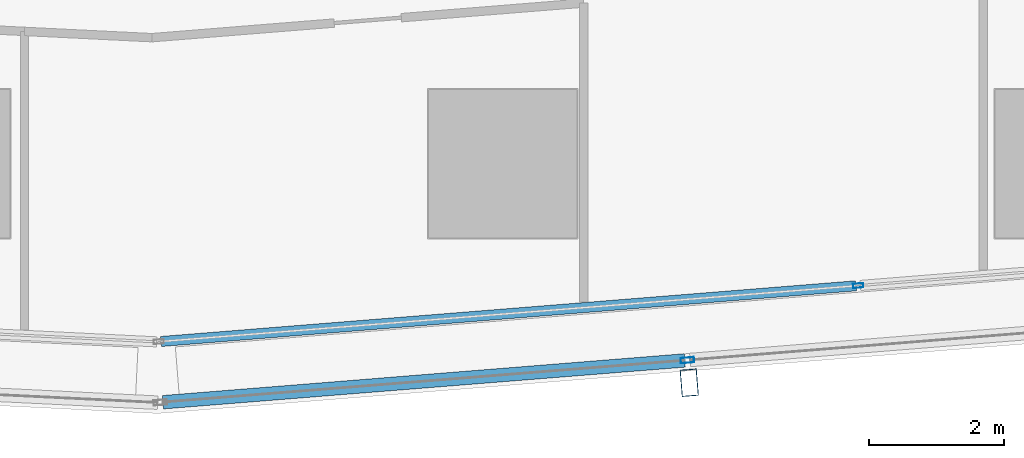
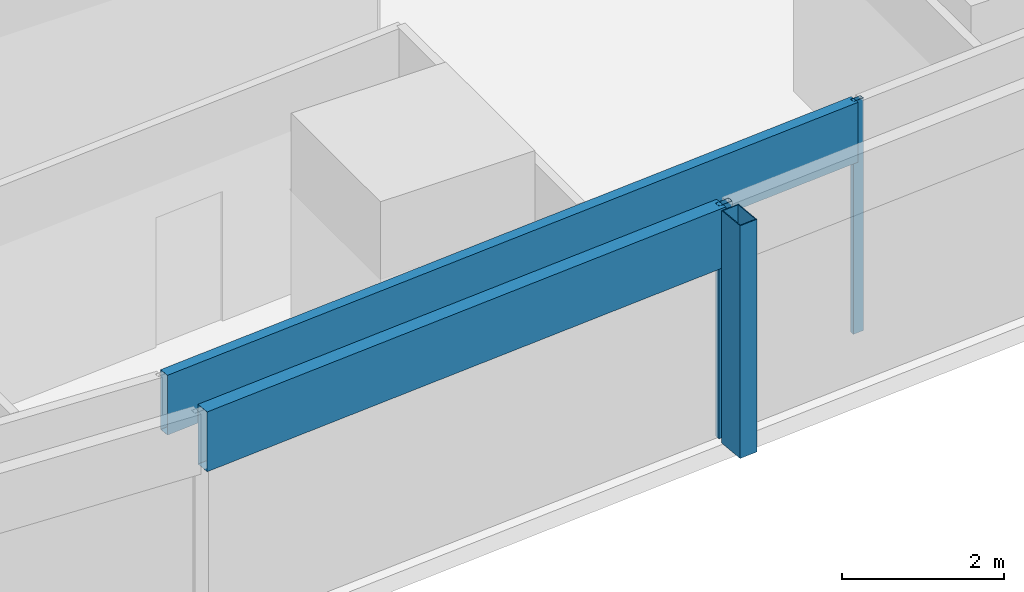
# One storey, part 10 of 45: 5 members, 2 elements without a shape of their own.
"""IFC4 building model written with IfcOpenShell, lengths in metres."""

from ifc_helpers import new_model, si_unit, direction, frame, origin, origin_2d, place, context, subcontext, project, spatial, hollow_rectangle, extrude, material, material_profile, profile_set, type_object, element, aggregate, save


model = new_model("IFC4")

# Units and contexts
model_context = context("Model", 3, precision=1e-05, world=origin(), true_north=direction((0.0, 1.0)))
body_context = subcontext(model_context, "Body", "Model", "MODEL_VIEW")
ifc_project = project(units=[si_unit("LENGTHUNIT", "METRE"), si_unit("AREAUNIT", "SQUARE_METRE"), si_unit("VOLUMEUNIT", "CUBIC_METRE"), si_unit("PLANEANGLEUNIT", "RADIAN"), si_unit("MASSUNIT", "GRAM", prefix="KILO")], contexts=[model_context])

# Site, building, storey
site_placement = place(None, origin())
site = spatial("IfcSite", under=ifc_project, at=site_placement, CompositionType="ELEMENT")
building_placement = place(site_placement, origin())
building = spatial("IfcBuilding", under=site, at=building_placement, Name="Rekha Terrace Tower", CompositionType="ELEMENT")
storey_placement = place(building_placement, frame((0.0, 0.0, 36.64990234375)))
storey = spatial("IfcBuildingStorey", under=building, at=storey_placement, Name="L08", CompositionType="ELEMENT", Elevation=36.64990234375)

# Curtain wall, member
ifc_material_1 = material(Name="Aluminium framing", Category="aluminium")
curtain_wall_type_1 = type_object("IfcCurtainWallType", Name="CW2 double skin outer glazing", PredefinedType="USERDEFINED", material=ifc_material_1)
curtain_wall_1_placement = place(storey_placement, origin())
curtain_wall_1 = element("IfcCurtainWall", 1, at=curtain_wall_1_placement, inside=storey, type_object=curtain_wall_type_1, Name="CW2 double skin outer glazing", ObjectType="DOUBLE SKIN OUTER GLAZING", PredefinedType="USERDEFINED")
ifc_material_2 = material(Name="Steel S355 with fluorocarbon finish", Category="steel")
ifc_material_profile_1 = material_profile(ifc_material_2, hollow_rectangle(XDim=0.25, YDim=0.39990234375, WallThickness=0.012451171875, at=origin_2d()), Name="RHS400x250x12.5")
ifc_profile_set_1 = profile_set([ifc_material_profile_1], Name="Steel S355 with fluorocarbon finish")
member_type_1 = type_object("IfcMemberType", Name="BL1 facade blade RHS 400 x 250", PredefinedType="USERDEFINED", material=ifc_profile_set_1)
member_1_placement = place(storey_placement, frame((53.16748046875, 5.15576171875, 0.0), z_axis=(0.0, 0.0, 1.0), x_axis=(0.996805139821, 0.079871855039, 0.0)))
member_1 = element("IfcMember", 2, at=member_1_placement, type_object=member_type_1, Name="Facade blade", ObjectType="FACADE BLADE", PredefinedType="USERDEFINED", context=body_context, shape_type="SweptSolid", body=[
    extrude(hollow_rectangle(XDim=0.25, YDim=0.39990234375, WallThickness=0.012451171875, at=origin_2d()), origin(), (0.0, 0.0, 1.0), 3.5),
])

# Curtain wall, members
curtain_wall_type_2 = type_object("IfcCurtainWallType", Name="CW1 double skin inner glazing", PredefinedType="USERDEFINED", material=ifc_material_1)
curtain_wall_2_placement = place(storey_placement, origin())
curtain_wall_2 = element("IfcCurtainWall", 3, at=curtain_wall_2_placement, inside=storey, type_object=curtain_wall_type_2, Name="CW1 double skin inner glazing", ObjectType="DOUBLE SKIN INNER GLAZING", PredefinedType="USERDEFINED")
ifc_material_3 = material(Name="Aluminium mullion section", Category="aluminium")
ifc_material_profile_2 = material_profile(ifc_material_3, hollow_rectangle(XDim=0.06494140625, YDim=0.14990234375, WallThickness=0.00390625, at=origin_2d()), Name="AL RHS 65x150")
ifc_profile_set_2 = profile_set([ifc_material_profile_2], Name="Aluminium mullion section")
member_type_2 = type_object("IfcMemberType", Name="CW1 mullion RHS 65 x 150", PredefinedType="MULLION", material=ifc_profile_set_2)
member_2_placement = place(storey_placement, frame((55.672119140625, 6.595458984375, 0.0), z_axis=(0.0, 0.0, 1.0), x_axis=(-0.079872204468, 0.996805111821, 0.0)))
member_2 = element("IfcMember", 4, at=member_2_placement, type_object=member_type_2, Name="CW1 mullion 2", PredefinedType="MULLION", context=body_context, shape_type="SweptSolid", body=[
    extrude(hollow_rectangle(XDim=0.06494140625, YDim=0.14990234375, WallThickness=0.00390625, at=origin_2d()), origin(), (0.0, 0.0, 1.0), 3.5),
])
ifc_material_4 = material(Name="Insulated aluminium spandrel box", Category="aluminium")
ifc_material_profile_3 = material_profile(ifc_material_4, hollow_rectangle(XDim=0.14990234375, YDim=0.89990234375, WallThickness=0.0029296875, at=origin_2d()), Name="AL SPANDREL BOX 150x900")
ifc_profile_set_3 = profile_set([ifc_material_profile_3], Name="Insulated aluminium spandrel box")
member_type_3 = type_object("IfcMemberType", Name="CW1 spandrel transom 150 x 900", PredefinedType="USERDEFINED", material=ifc_profile_set_3)
member_3_placement = place(storey_placement, frame((45.33642578125, 5.767333984375, 3.050048828125), z_axis=(0.996806184606, 0.079858814989, 0.0), x_axis=(-0.079858814989, 0.996806184606, 0.0)))
member_3 = element("IfcMember", 5, at=member_3_placement, type_object=member_type_3, Name="CW1 spandrel transom 1", ObjectType="TRANSOM", PredefinedType="USERDEFINED", context=body_context, shape_type="SweptSolid", body=[
    extrude(hollow_rectangle(XDim=0.14990234375, YDim=0.89990234375, WallThickness=0.0029296875, at=origin_2d()), origin(), (0.0, 0.0, 1.0), 10.336181640625),
])
aggregate(curtain_wall_2, [member_2, member_3])

# Member
ifc_material_profile_4 = material_profile(ifc_material_3, hollow_rectangle(XDim=0.080078125, YDim=0.199951171875, WallThickness=0.00390625, at=origin_2d()), Name="AL RHS 80x200")
ifc_profile_set_4 = profile_set([ifc_material_profile_4], Name="Aluminium mullion section")
member_type_4 = type_object("IfcMemberType", Name="CW2 mullion RHS 80 x 200", PredefinedType="MULLION", material=ifc_profile_set_4)
member_4_placement = place(storey_placement, frame((53.140869140625, 5.48974609375, 0.0), z_axis=(0.0, 0.0, 1.0), x_axis=(-0.079872204468, 0.996805111821, 0.0)))
member_4 = element("IfcMember", 6, at=member_4_placement, type_object=member_type_4, Name="CW2 mullion 2", PredefinedType="MULLION", context=body_context, shape_type="SweptSolid", body=[
    extrude(hollow_rectangle(XDim=0.080078125, YDim=0.199951171875, WallThickness=0.00390625, at=origin_2d()), origin(), (0.0, 0.0, 1.0), 3.5),
])

ifc_material_profile_5 = material_profile(ifc_material_4, hollow_rectangle(XDim=0.199951171875, YDim=0.89990234375, WallThickness=0.0029296875, at=origin_2d()), Name="AL SPANDREL BOX 200x900")
ifc_profile_set_5 = profile_set([ifc_material_profile_5], Name="Insulated aluminium spandrel box")
member_type_5 = type_object("IfcMemberType", Name="CW2 spandrel transom 200 x 900", PredefinedType="USERDEFINED", material=ifc_profile_set_5)
member_5_placement = place(storey_placement, frame((45.365234375, 4.86669921875, 3.050048828125), z_axis=(0.996804766607, 0.079876512622, 0.0), x_axis=(-0.079876512622, 0.996804766607, 0.0)))
member_5 = element("IfcMember", 7, at=member_5_placement, type_object=member_type_5, Name="CW2 spandrel transom 1", ObjectType="TRANSOM", PredefinedType="USERDEFINED", context=body_context, shape_type="SweptSolid", body=[
    extrude(hollow_rectangle(XDim=0.199951171875, YDim=0.89990234375, WallThickness=0.0029296875, at=origin_2d()), origin(), (0.0, 0.0, 1.0), 7.760498046875),
])

aggregate(curtain_wall_1, [member_4, member_5, member_1])

save(model, "model.ifc")
